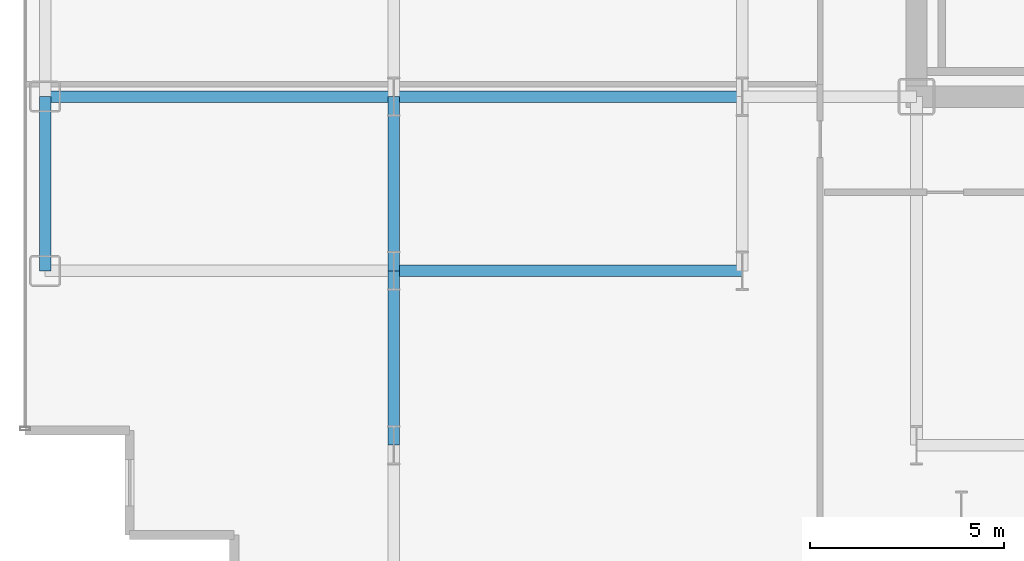
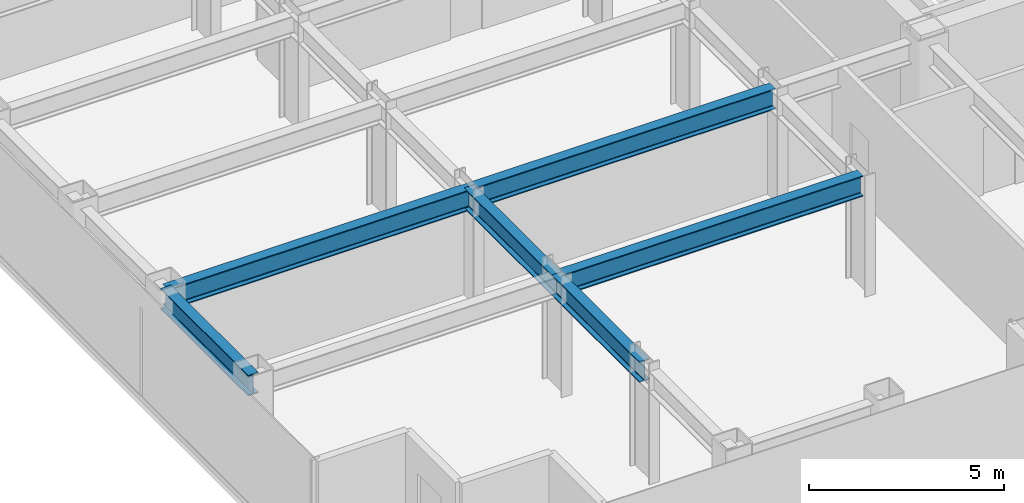
# One storey, part 3 of 26: 6 beams.
"""IFC4 building model written with IfcOpenShell, lengths in metres."""

import ifcopenshell
import ifcopenshell.guid

model = None  # the IFC model being written
_history = None  # IfcOwnerHistory: only IFC2X3 demands one
_inside = {}  # id of a spatial element -> (the spatial element, [elements in it])
_under = {}  # id of a project, library or spatial element -> (it, [spatial elements below it])
_declared = {}  # id of a project -> (the project, [libraries it declares])
_typed = {}  # id of a type object -> (the type object, [elements of that type])
_made_of = {}  # id of a material, layer set ... -> (it, [elements and type objects made of it])


def new_model(schema):
    """Start an empty IFC model of exactly this schema.

    Asked for "IFC4X3", IfcOpenShell would pick the latest addendum, in which some entities
    have other attributes; the version numbers below select the first issue.
    IFC2X3 requires an IfcOwnerHistory on every rooted entity: one is made here for all.
    """
    global model, _history
    if schema == "IFC4X3":
        model = ifcopenshell.file(schema_version=(4, 3, 0, 0))
    else:
        model = ifcopenshell.file(schema=schema)
    _inside.clear()
    _under.clear()
    _declared.clear()
    _typed.clear()
    _made_of.clear()
    _history = None
    if model.schema == "IFC2X3":
        org = make("IfcOrganization", Name="unknown")
        user = make(
            "IfcPersonAndOrganization",
            ThePerson=make("IfcPerson", FamilyName="unknown"),
            TheOrganization=org,
        )
        app = make(
            "IfcApplication",
            ApplicationDeveloper=org,
            Version="unknown",
            ApplicationFullName="unknown",
            ApplicationIdentifier="unknown",
        )
        _history = make(
            "IfcOwnerHistory",
            OwningUser=user,
            OwningApplication=app,
            ChangeAction="ADDED",
            CreationDate=0,
        )
    return model


def make(cls, **values):
    """One entity of the class cls with the attributes given. An attribute that is None is left unset."""
    return model.create_entity(
        cls, **{name: value for name, value in values.items() if value is not None}
    )


def rooted(cls, **values):
    """An entity with a GlobalId (a new one), such as an element, a storey or a relation."""
    return make(cls, GlobalId=ifcopenshell.guid.new(), OwnerHistory=_history, **values)


def si_unit(unit_type, name, prefix=None):
    """IfcSIUnit, for example si_unit("LENGTHUNIT", "METRE", prefix="MILLI")."""
    return make("IfcSIUnit", UnitType=unit_type, Prefix=prefix, Name=name)


def assignment(units):
    """IfcUnitAssignment: the units of a project."""
    return None if units is None else make("IfcUnitAssignment", Units=units)


def point(xyz):
    """IfcCartesianPoint."""
    return None if xyz is None else make("IfcCartesianPoint", Coordinates=xyz)


def direction(xyz):
    """IfcDirection."""
    return None if xyz is None else make("IfcDirection", DirectionRatios=xyz)


def frame(location, z_axis=None, x_axis=None):
    """IfcAxis2Placement3D, a coordinate frame: its origin and axes. An axis left out is left unset."""
    return make(
        "IfcAxis2Placement3D",
        Location=point(location),
        Axis=direction(z_axis),
        RefDirection=direction(x_axis),
    )


def frame_2d(location, x_axis=None):
    """IfcAxis2Placement2D, a coordinate frame in the plane: its origin and x axis."""
    return make(
        "IfcAxis2Placement2D", Location=point(location), RefDirection=direction(x_axis)
    )


def origin():
    """The frame at (0, 0, 0) with its axes left unset."""
    return frame((0.0, 0.0, 0.0))


def origin_2d():
    """The frame at (0, 0) in the plane with its x axis left unset."""
    return frame_2d((0.0, 0.0))


def place(relative_to, where):
    """IfcLocalPlacement: puts the frame where relative to a parent placement (None: the world)."""
    return make(
        "IfcLocalPlacement", PlacementRelTo=relative_to, RelativePlacement=where
    )


def context(
    kind, dimensions, precision=None, world=None, true_north=None, identifier=None
):
    """IfcGeometricRepresentationContext, for example the 3D "Model" context."""
    return make(
        "IfcGeometricRepresentationContext",
        ContextIdentifier=identifier,
        ContextType=kind,
        CoordinateSpaceDimension=dimensions,
        Precision=precision,
        WorldCoordinateSystem=world,
        TrueNorth=true_north,
    )


def subcontext(parent, identifier, kind, view, scale=None):
    """IfcGeometricRepresentationSubContext, for example "Body" below "Model"."""
    return make(
        "IfcGeometricRepresentationSubContext",
        ContextIdentifier=identifier,
        ContextType=kind,
        ParentContext=parent,
        TargetScale=scale,
        TargetView=view,
    )


def project(units=None, contexts=None):
    """IfcProject with its units and contexts."""
    return rooted(
        "IfcProject",
        Name="project",
        RepresentationContexts=contexts,
        UnitsInContext=assignment(units),
    )


def spatial(cls, under=None, at=None, **own):
    """A site, building, storey or space (cls), placed at a placement, below another one or the project."""
    s = rooted(cls, ObjectPlacement=at, **own)
    if under is not None:
        _under.setdefault(under.id(), (under, []))[1].append(s)
    return s


def profile(cls, at=None, kind="AREA", **sizes):
    """A parametric profile (cls). Its sizes go by their IFC names, for example OverallWidth=200.0."""
    return make(cls, ProfileType=kind, Position=at, **sizes)


def i_section(**sizes):
    """IfcIShapeProfileDef."""
    return profile("IfcIShapeProfileDef", **sizes)


def extrude(swept, where, along, depth):
    """IfcExtrudedAreaSolid: the profile swept, set in the frame where, extruded along a direction by depth."""
    return make(
        "IfcExtrudedAreaSolid",
        SweptArea=swept,
        Position=where,
        ExtrudedDirection=direction(along),
        Depth=depth,
    )


def shape(context_of_items, identifier, shape_type, items):
    """IfcShapeRepresentation: the items that make up one representation, for example the "Body"."""
    return make(
        "IfcShapeRepresentation",
        ContextOfItems=context_of_items,
        RepresentationIdentifier=identifier,
        RepresentationType=shape_type,
        Items=items,
    )


def source(mapping_origin, context_of_items, identifier, shape_type, items):
    """IfcRepresentationMap: a shape defined once, which mapped items show again and again."""
    return make(
        "IfcRepresentationMap",
        MappingOrigin=mapping_origin,
        MappedRepresentation=shape(context_of_items, identifier, shape_type, items),
    )


def transform(
    local_origin,
    x_axis=None,
    y_axis=None,
    z_axis=None,
    scale=None,
    scale2=None,
    scale3=None,
    uniform=True,
):
    """IfcCartesianTransformationOperator3D, or its non-uniform kind. x_axis, y_axis, z_axis: its Axis1, 2, 3."""
    if uniform:
        return make(
            "IfcCartesianTransformationOperator3D",
            Axis1=direction(x_axis),
            Axis2=direction(y_axis),
            LocalOrigin=point(local_origin),
            Scale=scale,
            Axis3=direction(z_axis),
        )
    return make(
        "IfcCartesianTransformationOperator3DnonUniform",
        Axis1=direction(x_axis),
        Axis2=direction(y_axis),
        LocalOrigin=point(local_origin),
        Scale=scale,
        Axis3=direction(z_axis),
        Scale2=scale2,
        Scale3=scale3,
    )


def mapped(mapping_source, mapping_target):
    """IfcMappedItem: shows the shape of a source again, moved by a transform."""
    return make(
        "IfcMappedItem", MappingSource=mapping_source, MappingTarget=mapping_target
    )


def material(Name=None, Category=None):
    """IfcMaterial."""
    return make("IfcMaterial", Name=Name, Category=Category)


def material_profile(
    of_material, cross_section, Name=None, Category=None, Priority=None
):
    """IfcMaterialProfile: a cross section and its material."""
    return make(
        "IfcMaterialProfile",
        Name=Name,
        Material=of_material,
        Profile=cross_section,
        Priority=Priority,
        Category=Category,
    )


def profile_set(profiles, Name=None, composite=None):
    """IfcMaterialProfileSet."""
    return make(
        "IfcMaterialProfileSet",
        Name=Name,
        MaterialProfiles=profiles,
        CompositeProfile=composite,
    )


def made_of(thing, what):
    """Note that an element or type object is made of a material, layer set ...; save() writes the relation."""
    if what is not None:
        _made_of.setdefault(what.id(), (what, []))[1].append(thing)
    return thing


def type_object(cls, material=None, **own):
    """A type object (cls), such as IfcWallType, which elements share."""
    return made_of(rooted(cls, **own), material)


def element(
    cls,
    number,
    at=None,
    inside=None,
    cuts=None,
    type_object=None,
    material=None,
    context=None,
    identifier="Body",
    shape_type=None,
    held_by="IfcProductDefinitionShape",
    body=None,
    shapes=None,
    **own,
):
    """One element of the class cls, such as IfcWall. Its Tag is "e" and its number.

    at: its placement. inside: the storey or other place that contains it. cuts: it is an
    opening in that element (IfcRelVoidsElement). A single representation is given by context,
    identifier, shape_type and body (its items); several are given by shapes. held_by: the class
    of the entity that holds the representations. save() writes the other relations.
    """
    e = rooted(cls, Tag="e%d" % number, ObjectPlacement=at, **own)
    if body is not None:
        shapes = [shape(context, identifier, shape_type, body)]
    if shapes is not None:
        e.Representation = make(held_by, Representations=shapes)
    if inside is not None:
        _inside.setdefault(inside.id(), (inside, []))[1].append(e)
    if cuts is not None:
        rooted(
            "IfcRelVoidsElement", RelatingBuildingElement=cuts, RelatedOpeningElement=e
        )
    if type_object is not None:
        _typed.setdefault(type_object.id(), (type_object, []))[1].append(e)
    return made_of(e, material)


def aggregate(whole, parts):
    """IfcRelAggregates: a whole, such as a stair, and the parts it consists of."""
    return rooted("IfcRelAggregates", RelatingObject=whole, RelatedObjects=parts)


def save(model, path):
    """Write the relations noted so far, then the file.

    IfcRelAggregates (storeys below a building ...), IfcRelContainedInSpatialStructure (elements
    in a storey), IfcRelDefinesByType, IfcRelAssociatesMaterial and IfcRelDeclares: one each for
    every whole, place, type object, material and project.
    """
    for whole, parts in _under.values():
        aggregate(whole, parts)
    for where, things in _inside.values():
        rooted(
            "IfcRelContainedInSpatialStructure",
            RelatedElements=things,
            RelatingStructure=where,
        )
    for kind, things in _typed.values():
        rooted("IfcRelDefinesByType", RelatedObjects=things, RelatingType=kind)
    for what, things in _made_of.values():
        rooted("IfcRelAssociatesMaterial", RelatedObjects=things, RelatingMaterial=what)
    for by, libraries in _declared.values():
        rooted("IfcRelDeclares", RelatingContext=by, RelatedDefinitions=libraries)
    model.write(path)


model = new_model("IFC4")

# Units and contexts
model_context = context("Model", 3, precision=1e-05, world=origin(), true_north=direction((0.0, 1.0)))
body_context = subcontext(model_context, "Body", "Model", "MODEL_VIEW")
ifc_project = project(units=[si_unit("LENGTHUNIT", "METRE"), si_unit("AREAUNIT", "SQUARE_METRE"), si_unit("VOLUMEUNIT", "CUBIC_METRE"), si_unit("PLANEANGLEUNIT", "RADIAN"), si_unit("MASSUNIT", "GRAM", prefix="KILO")], contexts=[model_context])

# Site, building, storey
site_placement = place(None, origin())
site = spatial("IfcSite", under=ifc_project, at=site_placement, CompositionType="ELEMENT")
building_placement = place(site_placement, origin())
building = spatial("IfcBuilding", under=site, at=building_placement, Name="Nefas-Gora Pilgrimage Tower", CompositionType="ELEMENT")
storey_placement = place(building_placement, frame((0.0, 0.0, 128.800048828125)))
storey = spatial("IfcBuildingStorey", under=building, at=storey_placement, Name="L31", CompositionType="ELEMENT", Elevation=128.800048828125)

# Beams
ifc_material = material(Name="Steel S355", Category="steel")
ifc_material_profile_1 = material_profile(ifc_material, i_section(OverallWidth=0.300048828125, OverallDepth=0.64990234375, WebThickness=0.01611328125, FlangeThickness=0.031005859375, FilletRadius=0.027099609375, at=origin_2d()), Name="HEB 650")
ifc_profile_set_1 = profile_set([ifc_material_profile_1], Name="Steel S355")
beam_type_1 = type_object("IfcBeamType", Name="BM-SPN-HEB500", PredefinedType="SPANDREL", material=ifc_profile_set_1)
shared_shape_1 = source(origin(), body_context, "Body", "SweptSolid", [
    extrude(i_section(OverallWidth=0.300048828125, OverallDepth=0.64990234375, WebThickness=0.01611328125, FlangeThickness=0.031005859375, FilletRadius=0.027099609375, at=origin_2d()), origin(), (0.0, 0.0, 1.0), 4.5),
])
beam_placement = place(storey_placement, frame((-33.75, -13.5, 3.224853515625), z_axis=(0.0, 1.0, 0.0), x_axis=(-1.0, 0.0, 0.0)))
element("IfcBeam", 1, at=beam_placement, inside=storey, type_object=beam_type_1, Name="L31 SP-02 beam", PredefinedType="SPANDREL", context=body_context, shape_type="MappedRepresentation", body=[
    mapped(shared_shape_1, transform((0.0, 0.0, 0.0), x_axis=(1.0, 0.0, 0.0), y_axis=(0.0, 1.0, 0.0), z_axis=(0.0, 0.0, 1.0), scale=1.0)),
])
ifc_material_profile_2 = material_profile(ifc_material, i_section(OverallWidth=0.300048828125, OverallDepth=0.64990234375, WebThickness=0.01611328125, FlangeThickness=0.031005859375, FilletRadius=0.027099609375, at=origin_2d()), Name="HEB 650")
ifc_profile_set_2 = profile_set([ifc_material_profile_2], Name="Steel S355")
beam_type_2 = type_object("IfcBeamType", Name="BM-GIR-HEB650", PredefinedType="BEAM", material=ifc_profile_set_2)
shared_shape_2 = source(origin(), body_context, "Body", "SweptSolid", [
    extrude(i_section(OverallWidth=0.300048828125, OverallDepth=0.64990234375, WebThickness=0.01611328125, FlangeThickness=0.031005859375, FilletRadius=0.027099609375, at=origin_2d()), origin(), (0.0, 0.0, 1.0), 9.0),
])
for number, where, z_axis, x_axis, name in (
    (2, (-33.75, -9.0, 3.224853515625), (1.0, 0.0, 0.0), (0.0, 1.0, 0.0), "L31 G-03 beam"),
    (3, (-24.75, -13.5, 3.224853515625), (1.0, 0.0, 0.0), (0.0, 1.0, 0.0), "L31 G-03 beam"),
    (4, (-24.75, -9.0, 3.224853515625), (1.0, 0.0, 0.0), (0.0, 1.0, 0.0), "L31 G-03 beam"),
):
    element("IfcBeam", number, at=place(storey_placement, frame(where, z_axis=z_axis, x_axis=x_axis)), inside=storey, type_object=beam_type_2, Name=name, PredefinedType="BEAM", context=body_context, shape_type="MappedRepresentation", body=[
        mapped(shared_shape_2, transform((0.0, 0.0, 0.0), x_axis=(1.0, 0.0, 0.0), y_axis=(0.0, 1.0, 0.0), z_axis=(0.0, 0.0, 1.0), scale=1.0)),
    ])
shared_shape_3 = source(origin(), body_context, "Body", "SweptSolid", [
    extrude(i_section(OverallWidth=0.300048828125, OverallDepth=0.64990234375, WebThickness=0.01611328125, FlangeThickness=0.031005859375, FilletRadius=0.027099609375, at=origin_2d()), origin(), (0.0, 0.0, 1.0), 4.5),
])
for number, where, z_axis, x_axis, name in (
    (5, (-24.75, -18.0, 3.224853515625), (0.0, 1.0, 0.0), (-1.0, 0.0, 0.0), "L31 G-03 beam"),
    (6, (-24.75, -13.5, 3.224853515625), (0.0, 1.0, 0.0), (-1.0, 0.0, 0.0), "L31 G-03 beam"),
):
    element("IfcBeam", number, at=place(storey_placement, frame(where, z_axis=z_axis, x_axis=x_axis)), inside=storey, type_object=beam_type_2, Name=name, PredefinedType="BEAM", context=body_context, shape_type="MappedRepresentation", body=[
        mapped(shared_shape_3, transform((0.0, 0.0, 0.0), x_axis=(1.0, 0.0, 0.0), y_axis=(0.0, 1.0, 0.0), z_axis=(0.0, 0.0, 1.0), scale=1.0)),
    ])

save(model, "model.ifc")
